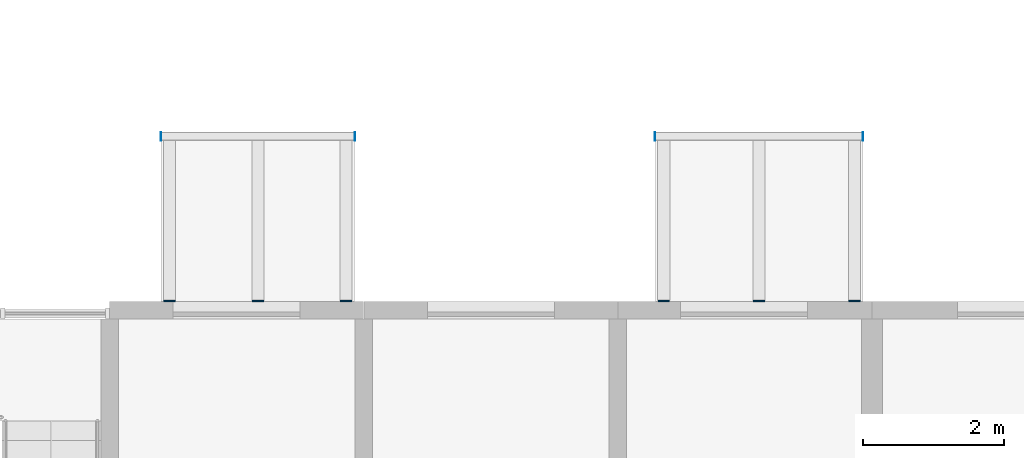
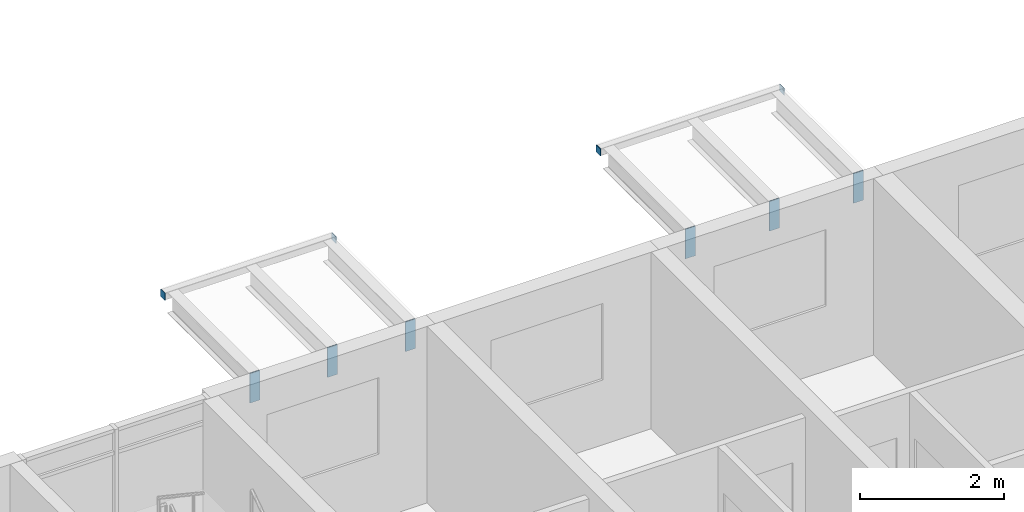
# One storey, part 72 of 98: 10 discrete accessories.
"""IFC4 building model written with IfcOpenShell, lengths in metres."""

from ifc_helpers import new_model, si_unit, direction, frame, origin, origin_2d, place, context, subcontext, project, spatial, rectangle, extrude, material, layer, layer_set, type_object, element, save


model = new_model("IFC4")

# Units and contexts
model_context = context("Model", 3, precision=1e-05, world=origin(), true_north=direction((0.0, 1.0)))
body_context = subcontext(model_context, "Body", "Model", "MODEL_VIEW")
ifc_project = project(units=[si_unit("LENGTHUNIT", "METRE"), si_unit("AREAUNIT", "SQUARE_METRE"), si_unit("VOLUMEUNIT", "CUBIC_METRE"), si_unit("PLANEANGLEUNIT", "RADIAN"), si_unit("MASSUNIT", "GRAM", prefix="KILO")], contexts=[model_context])

# Site, building, storey
site_placement = place(None, origin())
site = spatial("IfcSite", under=ifc_project, at=site_placement, CompositionType="ELEMENT")
building_placement = place(site_placement, origin())
building = spatial("IfcBuilding", under=site, at=building_placement, Name="Ridgestep Commons", CompositionType="ELEMENT")
storey_placement = place(building_placement, frame((0.0, 0.0, 12.0)))
storey = spatial("IfcBuildingStorey", under=building, at=storey_placement, Name="L04", CompositionType="ELEMENT", Elevation=12.0)

# Discrete accessories
ifc_material_1 = material(Name="Weathering steel S355J2W", Category="steel")
ifc_layer_1 = layer(ifc_material_1, 0.014892578125)
ifc_layer_set_1 = layer_set([ifc_layer_1], Name="Tray bracket plate 15")
discrete_accessory_type_1 = type_object("IfcDiscreteAccessoryType", Name="Tray bracket plate 15", PredefinedType="BRACKET", material=ifc_layer_set_1)
for number, where, z_axis, x_axis, name in (
    (1, (177.449951171875, 23.007568359375, 2.488525390625), (0.0, 0.0, 1.0), (1.0, 0.0, 0.0), "Tray bracket D2T1-05.1"),
    (2, (178.800048828125, 23.007568359375, 2.488525390625), (0.0, 0.0, 1.0), (1.0, 0.0, 0.0), "Tray bracket D2T1-05.2"),
    (3, (180.14990234375, 23.007568359375, 2.488525390625), (0.0, 0.0, 1.0), (1.0, 0.0, 0.0), "Tray bracket D2T1-05.3"),
    (4, (170.449951171875, 23.007568359375, 2.488525390625), (0.0, 0.0, 1.0), (1.0, 0.0, 0.0), "Tray bracket D2T3-05.1"),
    (5, (171.699951171875, 23.007568359375, 2.488525390625), (0.0, 0.0, 1.0), (1.0, 0.0, 0.0), "Tray bracket D2T3-05.2"),
    (6, (172.949951171875, 23.007568359375, 2.488525390625), (0.0, 0.0, 1.0), (1.0, 0.0, 0.0), "Tray bracket D2T3-05.3"),
):
    element("IfcDiscreteAccessory", number, at=place(storey_placement, frame(where, z_axis=z_axis, x_axis=x_axis)), inside=storey, type_object=discrete_accessory_type_1, Name=name, PredefinedType="BRACKET", context=body_context, shape_type="SweptSolid", body=[
        extrude(rectangle(XDim=0.159912109375, YDim=0.014892578125, at=origin_2d()), origin(), (0.0, 0.0, 1.0), 0.50146484375),
    ])
ifc_material_2 = material(Name="Weathering steel S355J2W", Category="steel")
ifc_layer_2 = layer(ifc_material_2, 0.008056640625)
ifc_layer_set_2 = layer_set([ifc_layer_2], Name="Tray edge member end plate 120 x 120 x 8")
discrete_accessory_type_2 = type_object("IfcDiscreteAccessoryType", Name="Tray edge member end plate 120 x 120 x 8", PredefinedType="BRACKET", material=ifc_layer_set_2)
for number, where, z_axis, x_axis, name in (
    (7, (177.325927734375, 25.340087890625, 2.869873046875), (0.0, 0.0, 1.0), (1.0, 0.0, 0.0), "Tray edge member end plate D2T1-05 west"),
    (8, (180.27392578125, 25.340087890625, 2.869873046875), (0.0, 0.0, 1.0), (1.0, 0.0, 0.0), "Tray edge member end plate D2T1-05 east"),
    (9, (170.325927734375, 25.340087890625, 2.869873046875), (0.0, 0.0, 1.0), (1.0, 0.0, 0.0), "Tray edge member end plate D2T3-05 west"),
    (10, (173.073974609375, 25.340087890625, 2.869873046875), (0.0, 0.0, 1.0), (1.0, 0.0, 0.0), "Tray edge member end plate D2T3-05 east"),
):
    element("IfcDiscreteAccessory", number, at=place(storey_placement, frame(where, z_axis=z_axis, x_axis=x_axis)), inside=storey, type_object=discrete_accessory_type_2, Name=name, PredefinedType="BRACKET", context=body_context, shape_type="SweptSolid", body=[
        extrude(rectangle(XDim=0.008056640625, YDim=0.1201171875, at=origin_2d()), origin(), (0.0, 0.0, 1.0), 0.1201171875),
    ])

save(model, "model.ifc")
